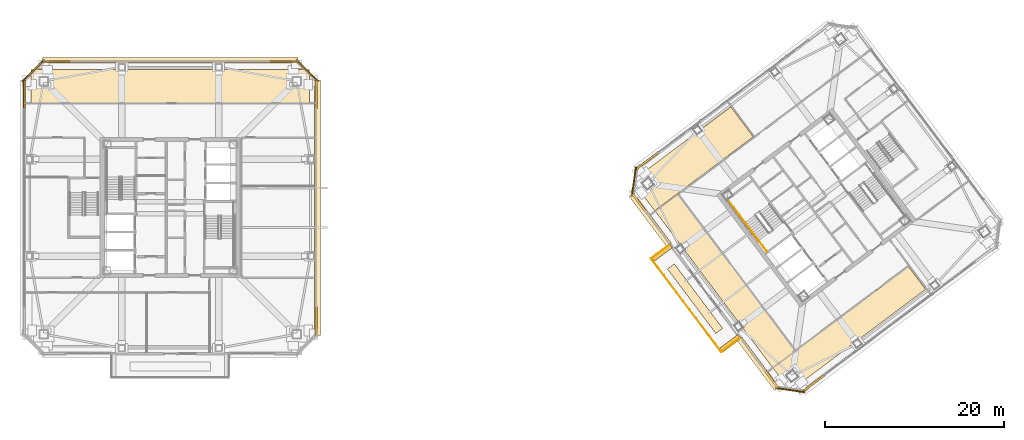
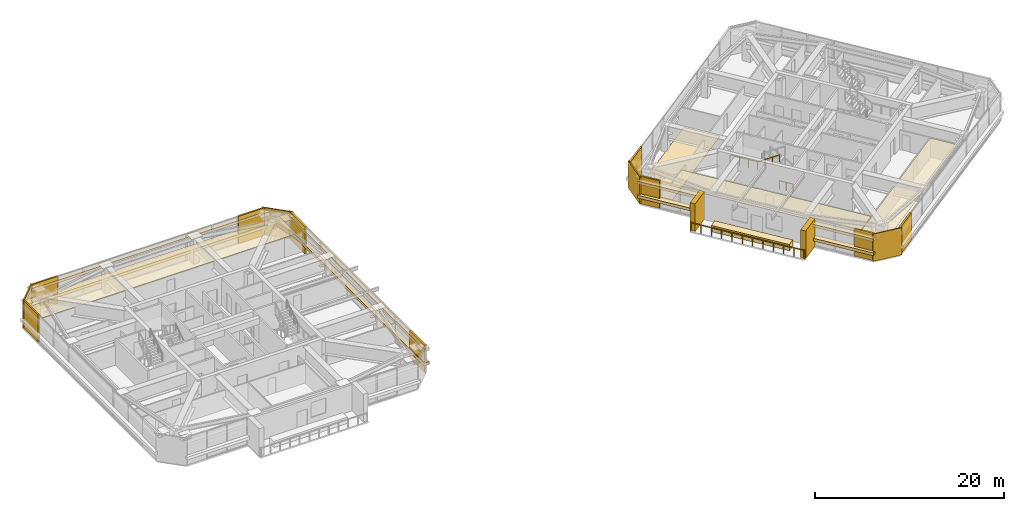
# One storey, part 37 of 40: 28 coverings, 6 railings.
"""IFC4 building model written with IfcOpenShell, lengths in metres."""

from ifc_helpers import new_model, si_unit, direction, frame, origin, origin_2d, place, context, subcontext, project, spatial, polyline, rectangle, outline, extrude, material, layer, layer_set, type_object, element, save


model = new_model("IFC4")

# Units and contexts
model_context = context("Model", 3, precision=1e-05, world=origin(), true_north=direction((0.0, 1.0)))
body_context = subcontext(model_context, "Body", "Model", "MODEL_VIEW")
ifc_project = project(units=[si_unit("LENGTHUNIT", "METRE"), si_unit("AREAUNIT", "SQUARE_METRE"), si_unit("VOLUMEUNIT", "CUBIC_METRE"), si_unit("PLANEANGLEUNIT", "RADIAN"), si_unit("MASSUNIT", "GRAM", prefix="KILO")], contexts=[model_context])

# Site, building, storey
site_placement = place(None, origin())
site = spatial("IfcSite", under=ifc_project, at=site_placement, CompositionType="ELEMENT")
building_placement = place(site_placement, origin())
building = spatial("IfcBuilding", under=site, at=building_placement, Name="Tashvorn Skyway Center", CompositionType="ELEMENT")
storey_placement = place(building_placement, frame((0.0, 0.0, 229.050048828125)))
storey = spatial("IfcBuildingStorey", under=building, at=storey_placement, Name="L62", CompositionType="ELEMENT", Elevation=229.050048828125)

# Coverings
ifc_material_1 = material(Name="Precast concrete C40/50", Category="concrete")
ifc_layer_1 = layer(ifc_material_1, 0.199951171875)
ifc_layer_set_1 = layer_set([ifc_layer_1], Name="Precast concrete C40/50")
covering_type_1 = type_object("IfcCoveringType", Name="COV-BRACE-CLAD", PredefinedType="CLADDING", material=ifc_layer_set_1)
for number, where, z_axis, x_axis, name in (
    (1, (25.719970703125, 44.6044921875, 0.0), (0.0, 0.0, 1.0), (0.0, 1.0, 0.0), "Tower 1 L62 West Unitised Curtain Wall Mega-Brace Cladding Band 2"),
    (2, (29.3955078125, 48.280029296875, 0.0), (0.0, 0.0, 1.0), (1.0, 0.0, 0.0), "Tower 1 L62 North Unitised Curtain Wall Mega-Brace Cladding Band 1"),
    (3, (54.6044921875, 48.280029296875, 0.0), (0.0, 0.0, 1.0), (1.0, 0.0, 0.0), "Tower 1 L62 North Unitised Curtain Wall Mega-Brace Cladding Band 2"),
    (4, (58.280029296875, 44.6044921875, 0.0), (0.0, 0.0, 1.0), (0.0, -1.0, 0.0), "Tower 1 L62 East Unitised Curtain Wall Mega-Brace Cladding Band 1"),
    (5, (58.280029296875, 19.3955078125, 0.0), (0.0, 0.0, 1.0), (0.0, -1.0, 0.0), "Tower 1 L62 East Unitised Curtain Wall Mega-Brace Cladding Band 2"),
):
    element("IfcCovering", number, at=place(storey_placement, frame(where, z_axis=z_axis, x_axis=x_axis)), inside=storey, type_object=covering_type_1, Name=name, PredefinedType="CLADDING", context=body_context, shape_type="SweptSolid", body=[
        extrude(rectangle(XDim=3.151123046875, YDim=0.199951171875, at=origin_2d()), origin(), (0.0, 0.0, 1.0), 3.550048828125),
    ])
covering_1_placement = place(storey_placement, frame((113.7021484375, 12.4267578125, 0.0), z_axis=(0.0, 0.0, 1.0), x_axis=(-0.799999996291, -0.600000004945, 0.0)))
element("IfcCovering", 6, at=covering_1_placement, inside=storey, type_object=covering_type_1, Name="Tower 2 L62 South Unitised Curtain Wall Mega-Brace Cladding Band 2", PredefinedType="CLADDING", context=body_context, shape_type="SweptSolid", body=[
    extrude(rectangle(XDim=2.99560546875, YDim=0.199951171875, at=origin_2d()), origin(), (0.0, 0.0, 1.0), 3.550048828125),
])
for number, where, z_axis, x_axis, name in (
    (7, (109.01611328125, 12.845458984375, 0.0), (0.0, 0.0, 1.0), (-0.600000004945, 0.799999996291, 0.0), "Tower 2 L62 West Curtain Wall L Mega-Brace Cladding Band 1"),
    (8, (94.216064453125, 32.57861328125, 0.0), (0.0, 0.0, 1.0), (-0.600000004945, 0.799999996291, 0.0), "Tower 2 L62 West Curtain Wall R Mega-Brace Cladding Band 1"),
):
    element("IfcCovering", number, at=place(storey_placement, frame(where, z_axis=z_axis, x_axis=x_axis)), inside=storey, type_object=covering_type_1, Name=name, PredefinedType="CLADDING", context=body_context, shape_type="SweptSolid", body=[
        extrude(rectangle(XDim=2.29345703125, YDim=0.199951171875, at=origin_2d()), origin(), (0.0, 0.0, 1.0), 3.550048828125),
    ])
covering_2_placement = place(storey_placement, frame((95.126220703125, 37.194580078125, 0.0), z_axis=(0.0, 0.0, 1.0), x_axis=(0.799999996291, 0.600000004945, 0.0)))
element("IfcCovering", 9, at=covering_2_placement, inside=storey, type_object=covering_type_1, Name="Tower 2 L62 North Unitised Curtain Wall Mega-Brace Cladding Band 1", PredefinedType="CLADDING", context=body_context, shape_type="SweptSolid", body=[
    extrude(rectangle(XDim=2.99560546875, YDim=0.199951171875, at=origin_2d()), origin(), (0.0, 0.0, 1.0), 3.550048828125),
])
ifc_material_2 = material(Name="Mineral-fibre acoustic ceiling tile on suspended grid")
ifc_layer_2 = layer(ifc_material_2, 0.02001953125)
ifc_layer_set_2 = layer_set([ifc_layer_2], Name="Mineral-fibre acoustic ceiling tile on suspended grid")
covering_type_2 = type_object("IfcCoveringType", Name="COV-CEIL-20", PredefinedType="CEILING", material=ifc_layer_set_2)
covering_3_placement = place(storey_placement, frame((0.0, 0.0, 2.492919921875)))
element("IfcCovering", 10, at=covering_3_placement, inside=storey, type_object=covering_type_2, Name="Tower 1 L62 Executive Study Lounge Acoustic Ceiling", PredefinedType="CEILING", context=body_context, shape_type="SweptSolid", body=[
    extrude(outline(polyline([(26.5, 43.6201171875), (57.5, 43.6201171875), (57.5, 47.39990234375), (26.5, 47.39990234375), (26.5, 43.6201171875)])), origin(), (0.0, 0.0, 1.0), 0.02001953125),
])
covering_4_placement = place(storey_placement, frame((0.0, 0.0, 2.492919921875)))
element("IfcCovering", 11, at=covering_4_placement, inside=storey, type_object=covering_type_2, Name="Tower 2 L62 Gallery Showroom Acoustic Ceiling", PredefinedType="CEILING", context=body_context, shape_type="SweptSolid", body=[
    extrude(outline(polyline([(109.181884765625, 14.1240234375), (124.27001953125, 25.43994140625), (126.172119140625, 22.904052734375), (112.652099609375, 12.763916015625), (109.907958984375, 13.156005859375), (109.181884765625, 14.1240234375)])), origin(), (0.0, 0.0, 1.0), 0.02001953125),
])
covering_5_placement = place(storey_placement, frame((0.0, 0.0, 2.492919921875)))
element("IfcCovering", 12, at=covering_5_placement, inside=storey, type_object=covering_type_2, Name="Tower 2 L62 Public Restroom Acoustic Ceiling", PredefinedType="CEILING", context=body_context, shape_type="SweptSolid", body=[
    extrude(outline(polyline([(109.14208984375, 14.14404296875), (111.677978515625, 16.0458984375), (98.5859375, 33.501953125), (96.050048828125, 31.60009765625), (109.14208984375, 14.14404296875)])), origin(), (0.0, 0.0, 1.0), 0.02001953125),
])
ifc_material_3 = material(Name="Polished Mojave desert-aggregate terrazzo and cover plate")
ifc_layer_3 = layer(ifc_material_3, 0.0400390625)
ifc_layer_set_3 = layer_set([ifc_layer_3], Name="Polished Mojave desert-aggregate terrazzo and cover plate")
covering_type_3 = type_object("IfcCoveringType", Name="COV-FLR-40", PredefinedType="FLOORING", material=ifc_layer_set_3)
covering_6_placement = place(storey_placement, origin())
element("IfcCovering", 13, at=covering_6_placement, inside=storey, type_object=covering_type_3, Name="Tower 2 L62 Gallery Showroom Finish Flooring", PredefinedType="FLOORING", context=body_context, shape_type="SweptSolid", body=[
    extrude(outline(polyline([(106.97802734375, 39.89599609375), (95.986083984375, 31.652099609375), (94.756103515625, 33.2919921875), (95.179931640625, 36.260009765625), (104.47607421875, 43.23193359375), (106.97802734375, 39.89599609375)])), origin(), (0.0, 0.0, 1.0), 0.0400390625),
])
ifc_material_4 = material(Name="Perforated ceramic-coated bronze aluminium solar screen", Category="aluminium")
ifc_layer_4 = layer(ifc_material_4, 0.85009765625)
ifc_layer_set_4 = layer_set([ifc_layer_4], Name="Perforated ceramic-coated bronze aluminium solar screen")
covering_type_4 = type_object("IfcCoveringType", Name="COV-SOLAR-BAND", PredefinedType="CLADDING", material=ifc_layer_set_4)
for number, where, z_axis, x_axis, name in (
    (14, (42.0, 48.419921875, 0.919921875), (0.0, 0.0, 1.0), (1.0, 0.0, 0.0), "L62 Perforated Ceramic-Metal Solar Screen Louvre Band North 1"),
    (15, (42.0, 48.419921875, 2.7197265625), (0.0, 0.0, 1.0), (1.0, 0.0, 0.0), "L62 Perforated Ceramic-Metal Solar Screen Louvre Band North 2"),
    (16, (58.419921875, 32.0, 0.919921875), (0.0, 0.0, 1.0), (0.0, -1.0, 0.0), "L62 Perforated Ceramic-Metal Solar Screen Louvre Band East 1"),
    (17, (58.419921875, 32.0, 2.7197265625), (0.0, 0.0, 1.0), (0.0, -1.0, 0.0), "L62 Perforated Ceramic-Metal Solar Screen Louvre Band East 2"),
):
    element("IfcCovering", number, at=place(storey_placement, frame(where, z_axis=z_axis, x_axis=x_axis)), inside=storey, type_object=covering_type_4, Name=name, PredefinedType="CLADDING", context=body_context, shape_type="SweptSolid", body=[
        extrude(rectangle(XDim=28.47998046875, YDim=0.639892578125, at=origin_2d()), origin(), (0.0, 0.0, 1.0), 0.360107421875),
    ])
for number, where, z_axis, x_axis, name in (
    (18, (107.528076171875, 14.595947265625, 0.919921875), (0.0, 0.0, 1.0), (-0.600000004945, 0.799999996291, 0.0), "L62 Perforated Ceramic-Metal Solar Screen Louvre Band West 1"),
    (19, (107.528076171875, 14.595947265625, 2.7197265625), (0.0, 0.0, 1.0), (-0.600000004945, 0.799999996291, 0.0), "L62 Perforated Ceramic-Metal Solar Screen Louvre Band West 2"),
    (20, (95.47998046875, 30.659912109375, 0.919921875), (0.0, 0.0, 1.0), (-0.600000004945, 0.799999996291, 0.0), "L62 Perforated Ceramic-Metal Solar Screen Louvre Band West 1"),
    (21, (95.47998046875, 30.659912109375, 2.7197265625), (0.0, 0.0, 1.0), (-0.600000004945, 0.799999996291, 0.0), "L62 Perforated Ceramic-Metal Solar Screen Louvre Band West 2"),
):
    element("IfcCovering", number, at=place(storey_placement, frame(where, z_axis=z_axis, x_axis=x_axis)), inside=storey, type_object=covering_type_4, Name=name, PredefinedType="CLADDING", context=body_context, shape_type="SweptSolid", body=[
        extrude(rectangle(XDim=7.0, YDim=0.639892578125, at=origin_2d()), origin(), (0.0, 0.0, 1.0), 0.360107421875),
    ])
ifc_layer_5 = layer(ifc_material_1, 0.35009765625)
ifc_layer_set_5 = layer_set([ifc_layer_5], Name="Precast concrete C40/50")
covering_type_5 = type_object("IfcCoveringType", Name="COV-STONE-TRIM", PredefinedType="CLADDING", material=ifc_layer_set_5)
for number, where, z_axis, x_axis, name in (
    (22, (26.72998046875, 47.27001953125, 0.02001953125), (0.0, 0.0, 1.0), (-0.707106781187, -0.707106781187, 0.0), "Tower 1 L62 NW Mojave Limestone Corner Quoin"),
    (23, (57.27001953125, 47.27001953125, 0.02001953125), (0.0, 0.0, 1.0), (0.707106781187, -0.707106781187, 0.0), "Tower 1 L62 NE Mojave Limestone Corner Quoin"),
):
    element("IfcCovering", number, at=place(storey_placement, frame(where, z_axis=z_axis, x_axis=x_axis)), inside=storey, type_object=covering_type_5, Name=name, PredefinedType="CLADDING", context=body_context, shape_type="SweptSolid", body=[
        extrude(rectangle(XDim=3.41259765625, YDim=0.139892578125, at=origin_2d()), origin(), (0.0, 0.0, 1.0), 3.510009765625),
    ])
for number, where, z_axis, x_axis, name in (
    (24, (104.409912109375, 16.8701171875, 0.0), (0.0, 0.0, 1.0), (-0.600000004945, 0.799999996291, 0.0), "Tower 2 L62 Sky Garden Loggia Pier L"),
    (25, (96.7900390625, 27.030029296875, 0.0), (0.0, 0.0, 1.0), (-0.600000004945, 0.799999996291, 0.0), "Tower 2 L62 Sky Garden Loggia Pier R"),
):
    element("IfcCovering", number, at=place(storey_placement, frame(where, z_axis=z_axis, x_axis=x_axis)), inside=storey, type_object=covering_type_5, Name=name, PredefinedType="CLADDING", context=body_context, shape_type="SweptSolid", body=[
        extrude(rectangle(XDim=0.580078125, YDim=2.5, at=origin_2d()), origin(), (0.0, 0.0, 1.0), 3.550048828125),
    ])
covering_7_placement = place(storey_placement, frame((100.47998046875, 21.860107421875, 0.0), z_axis=(0.0, 0.0, 1.0), x_axis=(-0.600000004945, 0.799999996291, 0.0)))
element("IfcCovering", 26, at=covering_7_placement, inside=storey, type_object=covering_type_5, Name="Tower 2 L62 Sky Garden Stone Planter Bed", PredefinedType="CLADDING", context=body_context, shape_type="SweptSolid", body=[
    extrude(rectangle(XDim=8.97607421875, YDim=0.949951171875, at=origin_2d()), origin(), (0.0, 0.0, 1.0), 0.800048828125),
])
for number, where, z_axis, x_axis, name in (
    (27, (111.095947265625, 11.672119140625, 0.02001953125), (0.0, 0.0, 1.0), (-0.989949494535, 0.141421350118, 0.0), "Tower 2 L62 SW Mojave Limestone Corner Quoin"),
    (28, (93.672119140625, 34.904052734375, 0.02001953125), (0.0, 0.0, 1.0), (-0.141421350118, -0.989949494535, 0.0), "Tower 2 L62 NW Mojave Limestone Corner Quoin"),
):
    element("IfcCovering", number, at=place(storey_placement, frame(where, z_axis=z_axis, x_axis=x_axis)), inside=storey, type_object=covering_type_5, Name=name, PredefinedType="CLADDING", context=body_context, shape_type="SweptSolid", body=[
        extrude(rectangle(XDim=3.271240234375, YDim=0.139892578125, at=origin_2d()), origin(), (0.0, 0.0, 1.0), 3.510009765625),
    ])

# Railings
ifc_material_5 = material(Name="Galvanized steel S355", Category="steel")
railing_type_1 = type_object("IfcRailingType", Name="RAIL-GUARD-1120", PredefinedType="GUARDRAIL", material=ifc_material_5)
railing_1_placement = place(storey_placement, frame((105.431884765625, 17.424072265625, 0.0)))
element("IfcRailing", 29, at=railing_1_placement, inside=storey, type_object=railing_type_1, Name="L62 Tower 2 Terrace Guardrail 01", PredefinedType="GUARDRAIL", context=body_context, shape_type="SweptSolid", body=[
    extrude(rectangle(XDim=0.048095703125, YDim=0.048095703125, at=origin_2d()), frame((0.0, 0.0, 1.09619140625), z_axis=(-0.79998837352, -0.60001550166, 0.0), x_axis=(0.60001550166, -0.79998837352, 0.0)), (0.0, 0.0, 1.0), 2.519775390625),
    extrude(rectangle(XDim=0.0419921875, YDim=0.0419921875, at=origin_2d()), origin(), (0.0, 0.0, 1.0), 1.072021484375),
    extrude(rectangle(XDim=0.0419921875, YDim=0.0419921875, at=origin_2d()), frame((-0.671875, -0.50390625, 0.0)), (0.0, 0.0, 1.0), 1.072021484375),
    extrude(rectangle(XDim=0.0419921875, YDim=0.0419921875, at=origin_2d()), frame((-1.343994140625, -1.008056640625, 0.0)), (0.0, 0.0, 1.0), 1.072021484375),
    extrude(rectangle(XDim=0.0419921875, YDim=0.0419921875, at=origin_2d()), frame((-2.015869140625, -1.511962890625, 0.0)), (0.0, 0.0, 1.0), 1.072021484375),
])
railing_2_placement = place(storey_placement, frame((103.416015625, 15.912109375, 0.0)))
element("IfcRailing", 30, at=railing_2_placement, inside=storey, type_object=railing_type_1, Name="L62 Tower 2 Terrace Guardrail 02", PredefinedType="GUARDRAIL", context=body_context, shape_type="SweptSolid", body=[
    extrude(rectangle(XDim=0.048095703125, YDim=0.048095703125, at=origin_2d()), frame((0.0, 0.0, 1.09619140625), z_axis=(-0.600002995611, 0.799997753283, 0.0), x_axis=(-0.799997753283, -0.600002995611, 0.0)), (0.0, 0.0, 1.0), 13.039794921875),
    extrude(rectangle(XDim=0.0419921875, YDim=0.0419921875, at=origin_2d()), origin(), (0.0, 0.0, 1.0), 1.072021484375),
    extrude(rectangle(XDim=0.0419921875, YDim=0.0419921875, at=origin_2d()), frame((-0.711181640625, 0.9482421875, 0.0)), (0.0, 0.0, 1.0), 1.072021484375),
    extrude(rectangle(XDim=0.0419921875, YDim=0.0419921875, at=origin_2d()), frame((-1.422607421875, 1.896728515625, 0.0)), (0.0, 0.0, 1.0), 1.072021484375),
    extrude(rectangle(XDim=0.0419921875, YDim=0.0419921875, at=origin_2d()), frame((-2.1337890625, 2.844970703125, 0.0)), (0.0, 0.0, 1.0), 1.072021484375),
    extrude(rectangle(XDim=0.0419921875, YDim=0.0419921875, at=origin_2d()), frame((-2.844970703125, 3.79345703125, 0.0)), (0.0, 0.0, 1.0), 1.072021484375),
    extrude(rectangle(XDim=0.0419921875, YDim=0.0419921875, at=origin_2d()), frame((-3.556396484375, 4.74169921875, 0.0)), (0.0, 0.0, 1.0), 1.072021484375),
    extrude(rectangle(XDim=0.0419921875, YDim=0.0419921875, at=origin_2d()), frame((-4.267578125, 5.690185546875, 0.0)), (0.0, 0.0, 1.0), 1.072021484375),
    extrude(rectangle(XDim=0.0419921875, YDim=0.0419921875, at=origin_2d()), frame((-4.97900390625, 6.638427734375, 0.0)), (0.0, 0.0, 1.0), 1.072021484375),
    extrude(rectangle(XDim=0.0419921875, YDim=0.0419921875, at=origin_2d()), frame((-5.690185546875, 7.5869140625, 0.0)), (0.0, 0.0, 1.0), 1.072021484375),
    extrude(rectangle(XDim=0.0419921875, YDim=0.0419921875, at=origin_2d()), frame((-6.4013671875, 8.53515625, 0.0)), (0.0, 0.0, 1.0), 1.072021484375),
    extrude(rectangle(XDim=0.0419921875, YDim=0.0419921875, at=origin_2d()), frame((-7.11279296875, 9.483642578125, 0.0)), (0.0, 0.0, 1.0), 1.072021484375),
    extrude(rectangle(XDim=0.0419921875, YDim=0.0419921875, at=origin_2d()), frame((-7.823974609375, 10.431884765625, 0.0)), (0.0, 0.0, 1.0), 1.072021484375),
])
railing_3_placement = place(storey_placement, frame((95.592041015625, 26.343994140625, 0.0)))
element("IfcRailing", 31, at=railing_3_placement, inside=storey, type_object=railing_type_1, Name="L62 Tower 2 Terrace Guardrail 03", PredefinedType="GUARDRAIL", context=body_context, shape_type="SweptSolid", body=[
    extrude(rectangle(XDim=0.048095703125, YDim=0.048095703125, at=origin_2d()), frame((0.0, 0.0, 1.09619140625), z_axis=(0.79998837352, 0.60001550166, 0.0), x_axis=(-0.60001550166, 0.79998837352, 0.0)), (0.0, 0.0, 1.0), 2.519775390625),
    extrude(rectangle(XDim=0.0419921875, YDim=0.0419921875, at=origin_2d()), origin(), (0.0, 0.0, 1.0), 1.072021484375),
    extrude(rectangle(XDim=0.0419921875, YDim=0.0419921875, at=origin_2d()), frame((0.671875, 0.50390625, 0.0)), (0.0, 0.0, 1.0), 1.072021484375),
    extrude(rectangle(XDim=0.0419921875, YDim=0.0419921875, at=origin_2d()), frame((1.343994140625, 1.008056640625, 0.0)), (0.0, 0.0, 1.0), 1.072021484375),
    extrude(rectangle(XDim=0.0419921875, YDim=0.0419921875, at=origin_2d()), frame((2.015869140625, 1.511962890625, 0.0)), (0.0, 0.0, 1.0), 1.072021484375),
])
ifc_material_6 = material(Name="Brushed stainless steel 316", Category="steel")
railing_type_2 = type_object("IfcRailingType", Name="RAIL-HAND-920", PredefinedType="HANDRAIL", material=ifc_material_6)
railing_4_placement = place(storey_placement, frame((106.072021484375, 30.35400390625, 1.952392578125)))
element("IfcRailing", 32, at=railing_4_placement, inside=storey, type_object=railing_type_2, Name="L62 ST-T2-1 stair handrail 2", PredefinedType="HANDRAIL", context=body_context, shape_type="SweptSolid", body=[
    extrude(rectangle(XDim=0.048095703125, YDim=0.048095703125, at=origin_2d()), frame((0.0, 0.0, 0.8759765625), z_axis=(0.506718600913, -0.675679348675, 0.535437836974), x_axis=(0.800023250257, 0.599968998406, 0.0)), (0.0, 0.0, 1.0), 2.98388671875),
    extrude(rectangle(XDim=0.0419921875, YDim=0.0419921875, at=origin_2d()), origin(), (0.0, 0.0, 1.0), 0.851806640625),
    extrude(rectangle(XDim=0.0419921875, YDim=0.0419921875, at=origin_2d()), frame((0.50390625, -0.672119140625, 0.532470703125)), (0.0, 0.0, 1.0), 0.851806640625),
    extrude(rectangle(XDim=0.0419921875, YDim=0.0419921875, at=origin_2d()), frame((1.008056640625, -1.343994140625, 1.065185546875)), (0.0, 0.0, 1.0), 0.851806640625),
    extrude(rectangle(XDim=0.0419921875, YDim=0.0419921875, at=origin_2d()), frame((1.511962890625, -2.01611328125, 1.59765625)), (0.0, 0.0, 1.0), 0.851806640625),
])
ifc_material_7 = material(Name="Painted galvanized steel S355", Category="steel")
railing_type_3 = type_object("IfcRailingType", Name="RAIL-STGUARD-1100", PredefinedType="GUARDRAIL", material=ifc_material_7)
railing_5_placement = place(storey_placement, frame((106.072021484375, 30.35400390625, 1.77490234375)))
element("IfcRailing", 33, at=railing_5_placement, inside=storey, type_object=railing_type_3, Name="L62 ST-T2-1 stair guard 3", PredefinedType="GUARDRAIL", context=body_context, shape_type="SweptSolid", body=[
    extrude(rectangle(XDim=0.048095703125, YDim=0.048095703125, at=origin_2d()), frame((0.0, 0.0, 1.076171875), z_axis=(-0.599987638607, 0.800009270896, 0.0), x_axis=(-0.800009270896, -0.599987638607, 0.0)), (0.0, 0.0, 1.0), 3.16015625),
    extrude(rectangle(XDim=0.0419921875, YDim=0.0419921875, at=origin_2d()), origin(), (0.0, 0.0, 1.0), 1.052001953125),
    extrude(rectangle(XDim=0.0419921875, YDim=0.0419921875, at=origin_2d()), frame((-0.632080078125, 0.8427734375, 0.0)), (0.0, 0.0, 1.0), 1.052001953125),
    extrude(rectangle(XDim=0.0419921875, YDim=0.0419921875, at=origin_2d()), frame((-1.263916015625, 1.685302734375, 0.0)), (0.0, 0.0, 1.0), 1.052001953125),
    extrude(rectangle(XDim=0.0419921875, YDim=0.0419921875, at=origin_2d()), frame((-1.89599609375, 2.528076171875, 0.0)), (0.0, 0.0, 1.0), 1.052001953125),
])
railing_6_placement = place(storey_placement, frame((108.49609375, 27.1220703125, 0.0)))
element("IfcRailing", 34, at=railing_6_placement, inside=storey, type_object=railing_type_3, Name="L62 ST-T2-1 stair guard 6", PredefinedType="GUARDRAIL", context=body_context, shape_type="SweptSolid", body=[
    extrude(rectangle(XDim=0.048095703125, YDim=0.048095703125, at=origin_2d()), frame((0.0, 0.0, 1.076171875), z_axis=(-0.600102796382, 0.799922892393, 0.0), x_axis=(-0.799922892393, -0.600102796382, 0.0)), (0.0, 0.0, 1.0), 1.52001953125),
    extrude(rectangle(XDim=0.0419921875, YDim=0.0419921875, at=origin_2d()), origin(), (0.0, 0.0, 1.0), 1.052001953125),
    extrude(rectangle(XDim=0.0419921875, YDim=0.0419921875, at=origin_2d()), frame((-0.4560546875, 0.60791015625, 0.0)), (0.0, 0.0, 1.0), 1.052001953125),
    extrude(rectangle(XDim=0.0419921875, YDim=0.0419921875, at=origin_2d()), frame((-0.912109375, 1.2158203125, 0.0)), (0.0, 0.0, 1.0), 1.052001953125),
])

save(model, "model.ifc")
